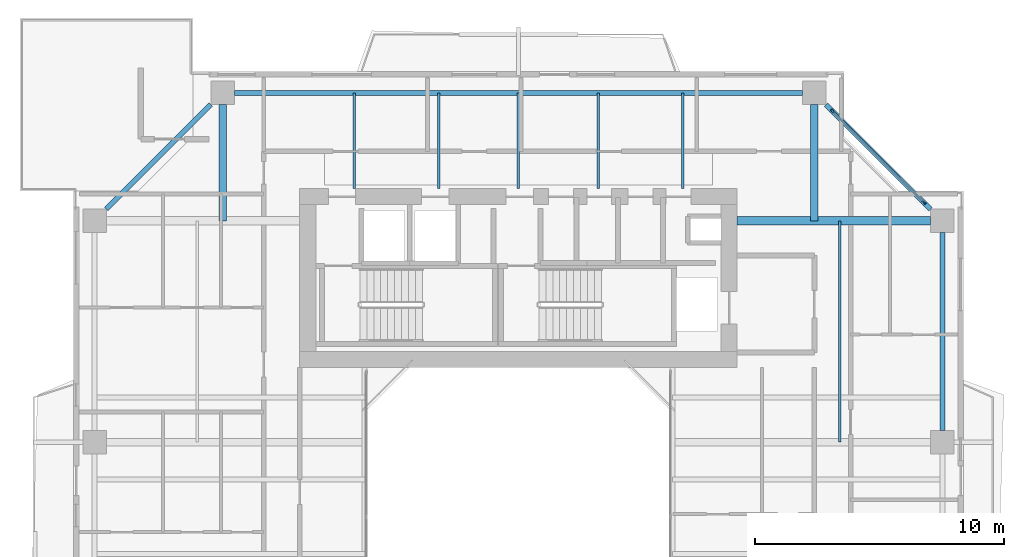
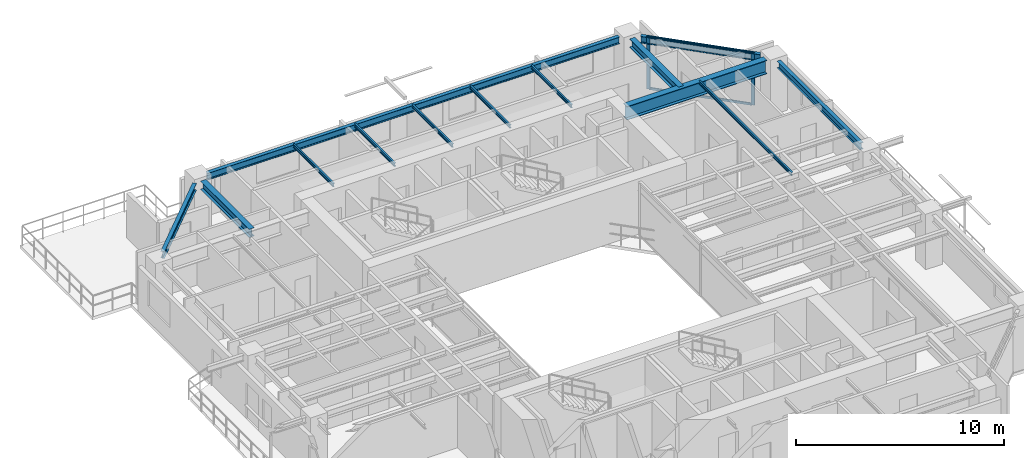
# One storey, part 8 of 17: 13 beams, 4 members, 1 element without a shape of its own.
"""IFC4 building model written with IfcOpenShell, lengths in metres."""

from ifc_helpers import new_model, si_unit, direction, frame, origin, origin_2d, place, context, subcontext, project, spatial, rectangle, i_section, extrude, source, transform, mapped, material, layer, layer_set, material_profile, profile_set, type_object, element, aggregate, save


model = new_model("IFC4")

# Units and contexts
model_context = context("Model", 3, precision=1e-05, world=origin(), true_north=direction((0.0, 1.0)))
body_context = subcontext(model_context, "Body", "Model", "MODEL_VIEW")
ifc_project = project(units=[si_unit("LENGTHUNIT", "METRE"), si_unit("AREAUNIT", "SQUARE_METRE"), si_unit("VOLUMEUNIT", "CUBIC_METRE"), si_unit("PLANEANGLEUNIT", "RADIAN"), si_unit("MASSUNIT", "GRAM", prefix="KILO"), si_unit("THERMODYNAMICTEMPERATUREUNIT", "KELVIN"), si_unit("POWERUNIT", "WATT")], contexts=[model_context])

# Site, building, storey
site_placement = place(None, origin())
site = spatial("IfcSite", under=ifc_project, at=site_placement, CompositionType="ELEMENT")
building_placement = place(site_placement, origin())
building = spatial("IfcBuilding", under=site, at=building_placement, Name="Qiaomeng Ring Towers", CompositionType="ELEMENT")
storey_placement = place(building_placement, frame((0.0, 0.0, 143.75)))
storey = spatial("IfcBuildingStorey", under=building, at=storey_placement, Name="L41", CompositionType="ELEMENT", Elevation=143.75)

# Beams
ifc_material_1 = material(Name="Steel Q355B", Category="steel")
ifc_material_profile_1 = material_profile(ifc_material_1, i_section(OverallWidth=0.10009765625, OverallDepth=0.199951171875, WebThickness=0.005615234375, FlangeThickness=0.008056640625, FilletRadius=0.010986328125, at=origin_2d()), Name="HN 200x100x5.5x8")
ifc_profile_set_1 = profile_set([ifc_material_profile_1], Name="Steel Q355B")
beam_type_1 = type_object("IfcBeamType", Name="STR-BM-HN200", PredefinedType="JOIST", material=ifc_profile_set_1)
shared_shape_1 = source(origin(), body_context, "Body", "SweptSolid", [
    extrude(i_section(OverallWidth=0.10009765625, OverallDepth=0.199951171875, WebThickness=0.005615234375, FlangeThickness=0.008056640625, FilletRadius=0.010986328125, at=origin_2d()), origin(), (0.0, 0.0, 1.0), 3.85009765625),
])
for number, where, z_axis, x_axis, name in (
    (1, (12.39990234375, 36.199951171875, 2.969970703125), (0.0, 1.0, 0.0), (-1.0, 0.0, 0.0), "L41 beam STR-JST-L41-T1N-1"),
    (2, (15.800048828125, 36.199951171875, 2.969970703125), (0.0, 1.0, 0.0), (-1.0, 0.0, 0.0), "L41 beam STR-JST-L41-T1N-2"),
    (3, (19.0, 36.199951171875, 2.969970703125), (0.0, 1.0, 0.0), (-1.0, 0.0, 0.0), "L41 beam STR-JST-L41-T1N-3"),
    (4, (22.199951171875, 36.199951171875, 2.969970703125), (0.0, 1.0, 0.0), (-1.0, 0.0, 0.0), "L41 beam STR-JST-L41-T1N-4"),
    (5, (25.60009765625, 36.199951171875, 2.969970703125), (0.0, 1.0, 0.0), (-1.0, 0.0, 0.0), "L41 beam STR-JST-L41-T1N-5"),
):
    element("IfcBeam", number, at=place(storey_placement, frame(where, z_axis=z_axis, x_axis=x_axis)), inside=storey, type_object=beam_type_1, Name=name, PredefinedType="JOIST", context=body_context, shape_type="MappedRepresentation", body=[
        mapped(shared_shape_1, transform((0.0, 0.0, 0.0), x_axis=(1.0, 0.0, 0.0), y_axis=(0.0, 1.0, 0.0), z_axis=(0.0, 0.0, 1.0), scale=1.0)),
    ])
shared_shape_2 = source(origin(), body_context, "Body", "SweptSolid", [
    extrude(i_section(OverallWidth=0.10009765625, OverallDepth=0.199951171875, WebThickness=0.005615234375, FlangeThickness=0.008056640625, FilletRadius=0.010986328125, at=origin_2d()), origin(), (0.0, 0.0, 1.0), 8.89990234375),
])
beam_1_placement = place(storey_placement, frame((31.925048828125, 26.0, 2.969970703125), z_axis=(0.0, 1.0, 0.0), x_axis=(-1.0, 0.0, 0.0)))
element("IfcBeam", 6, at=beam_1_placement, inside=storey, type_object=beam_type_1, Name="L41 beam STR-JST-L41-T1C-EN", PredefinedType="JOIST", context=body_context, shape_type="MappedRepresentation", body=[
    mapped(shared_shape_2, transform((0.0, 0.0, 0.0), x_axis=(1.0, 0.0, 0.0), y_axis=(0.0, 1.0, 0.0), z_axis=(0.0, 0.0, 1.0), scale=1.0)),
])
ifc_material_profile_2 = material_profile(ifc_material_1, i_section(OverallWidth=0.199951171875, OverallDepth=0.39990234375, WebThickness=0.008056640625, FlangeThickness=0.012939453125, FilletRadius=0.01611328125, at=origin_2d()), Name="HN 400x200x8x13")
ifc_profile_set_2 = profile_set([ifc_material_profile_2], Name="Steel Q355B")
beam_type_2 = type_object("IfcBeamType", Name="STR-BM-HN400", PredefinedType="SPANDREL", material=ifc_profile_set_2)
shared_shape_3 = source(origin(), body_context, "Body", "SweptSolid", [
    extrude(i_section(OverallWidth=0.199951171875, OverallDepth=0.39990234375, WebThickness=0.008056640625, FlangeThickness=0.012939453125, FilletRadius=0.01611328125, at=origin_2d()), origin(), (0.0, 0.0, 1.0), 22.85205078125),
])
beam_2_placement = place(storey_placement, frame((30.426025390625, 40.050048828125, 2.8701171875), z_axis=(-1.0, 0.0, 0.0), x_axis=(0.0, -1.0, 0.0)))
element("IfcBeam", 7, at=beam_2_placement, inside=storey, type_object=beam_type_2, Name="L41 beam STR-SP-L41-T1-N2-N1", PredefinedType="SPANDREL", context=body_context, shape_type="MappedRepresentation", body=[
    mapped(shared_shape_3, transform((0.0, 0.0, 0.0), x_axis=(1.0, 0.0, 0.0), y_axis=(0.0, 1.0, 0.0), z_axis=(0.0, 0.0, 1.0), scale=1.0)),
])
shared_shape_4 = source(origin(), body_context, "Body", "SweptSolid", [
    extrude(i_section(OverallWidth=0.199951171875, OverallDepth=0.39990234375, WebThickness=0.008056640625, FlangeThickness=0.012939453125, FilletRadius=0.01611328125, at=origin_2d()), origin(), (0.0, 0.0, 1.0), 5.941650390625),
])
for number, where, z_axis, x_axis, name in (
    (8, (35.57568359375, 35.374267578125, 2.8701171875), (-0.707106781187, 0.707106781187, 0.0), (-0.707106781187, -0.707106781187, 0.0), "L41 beam STR-SP-L41-T1-E4-N2"),
    (9, (6.625732421875, 39.57568359375, 2.8701171875), (-0.707106781187, -0.707106781187, 0.0), (0.707106781187, -0.707106781187, 0.0), "L41 beam STR-SP-L41-T1-N1-W4"),
):
    element("IfcBeam", number, at=place(storey_placement, frame(where, z_axis=z_axis, x_axis=x_axis)), inside=storey, type_object=beam_type_2, Name=name, PredefinedType="SPANDREL", context=body_context, shape_type="MappedRepresentation", body=[
        mapped(shared_shape_4, transform((0.0, 0.0, 0.0), x_axis=(1.0, 0.0, 0.0), y_axis=(0.0, 1.0, 0.0), z_axis=(0.0, 0.0, 1.0), scale=1.0)),
    ])
shared_shape_5 = source(origin(), body_context, "Body", "SweptSolid", [
    extrude(i_section(OverallWidth=0.199951171875, OverallDepth=0.39990234375, WebThickness=0.008056640625, FlangeThickness=0.012939453125, FilletRadius=0.01611328125, at=origin_2d()), origin(), (0.0, 0.0, 1.0), 7.951904296875),
])
beam_3_placement = place(storey_placement, frame((36.050048828125, 26.47412109375, 2.8701171875), z_axis=(0.0, 1.0, 0.0), x_axis=(-1.0, 0.0, 0.0)))
element("IfcBeam", 10, at=beam_3_placement, inside=storey, type_object=beam_type_2, Name="L41 beam STR-SP-L41-T1-E3-E4", PredefinedType="SPANDREL", context=body_context, shape_type="MappedRepresentation", body=[
    mapped(shared_shape_5, transform((0.0, 0.0, 0.0), x_axis=(1.0, 0.0, 0.0), y_axis=(0.0, 1.0, 0.0), z_axis=(0.0, 0.0, 1.0), scale=1.0)),
])
ifc_material_2 = material(Name="Steel Q390GJC", Category="steel")
ifc_material_profile_3 = material_profile(ifc_material_2, i_section(OverallWidth=0.35009765625, OverallDepth=0.800048828125, WebThickness=0.01611328125, FlangeThickness=0.028076171875, at=origin_2d()), Name="WH 800x350x16x28")
ifc_profile_set_3 = profile_set([ifc_material_profile_3], Name="Steel Q390GJC")
beam_type_3 = type_object("IfcBeamType", Name="STR-BM-WH800", PredefinedType="BEAM", material=ifc_profile_set_3)
shared_shape_6 = source(origin(), body_context, "Body", "SweptSolid", [
    extrude(i_section(OverallWidth=0.35009765625, OverallDepth=0.800048828125, WebThickness=0.01611328125, FlangeThickness=0.028076171875, at=origin_2d()), origin(), (0.0, 0.0, 1.0), 7.77587890625),
])
beam_4_placement = place(storey_placement, frame((27.800048828125, 34.89990234375, 2.669921875), z_axis=(1.0, 0.0, 0.0), x_axis=(0.0, 1.0, 0.0)))
element("IfcBeam", 11, at=beam_4_placement, inside=storey, type_object=beam_type_3, Name="L41 beam STR-BM-L41-T1-RAD-E4", PredefinedType="BEAM", context=body_context, shape_type="MappedRepresentation", body=[
    mapped(shared_shape_6, transform((0.0, 0.0, 0.0), x_axis=(1.0, 0.0, 0.0), y_axis=(0.0, 1.0, 0.0), z_axis=(0.0, 0.0, 1.0), scale=1.0)),
])
ifc_material_profile_4 = material_profile(ifc_material_1, i_section(OverallWidth=0.300048828125, OverallDepth=0.488037109375, WebThickness=0.010986328125, FlangeThickness=0.01806640625, FilletRadius=0.02587890625, at=origin_2d()), Name="HM 488x300x11x18")
ifc_profile_set_4 = profile_set([ifc_material_profile_4], Name="Steel Q355B")
beam_type_4 = type_object("IfcBeamType", Name="STR-BM-HM488", PredefinedType="BEAM", material=ifc_profile_set_4)
shared_shape_7 = source(origin(), body_context, "Body", "SweptSolid", [
    extrude(i_section(OverallWidth=0.300048828125, OverallDepth=0.488037109375, WebThickness=0.010986328125, FlangeThickness=0.01806640625, FilletRadius=0.02587890625, at=origin_2d()), origin(), (0.0, 0.0, 1.0), 4.676025390625),
])
for number, where, z_axis, x_axis, name in (
    (12, (7.10009765625, 39.575927734375, 2.825927734375), (0.0, -1.0, 0.0), (1.0, 0.0, 0.0), "L41 beam STR-BM-L41-T1-RAD-N1"),
    (13, (30.89990234375, 39.575927734375, 2.825927734375), (0.0, -1.0, 0.0), (1.0, 0.0, 0.0), "L41 beam STR-BM-L41-T1-RAD-N2"),
):
    element("IfcBeam", number, at=place(storey_placement, frame(where, z_axis=z_axis, x_axis=x_axis)), inside=storey, type_object=beam_type_4, Name=name, PredefinedType="BEAM", context=body_context, shape_type="MappedRepresentation", body=[
        mapped(shared_shape_7, transform((0.0, 0.0, 0.0), x_axis=(1.0, 0.0, 0.0), y_axis=(0.0, 1.0, 0.0), z_axis=(0.0, 0.0, 1.0), scale=1.0)),
    ])

# Curtain wall, members
ifc_material_3 = material(Name="Fluorocarbon dark-grey aluminium", Category="aluminium")
ifc_layer = layer(ifc_material_3, 0.14990234375, Name="Fluorocarbon dark-grey aluminium")
ifc_layer_set = layer_set([ifc_layer], Name="Fluorocarbon dark-grey aluminium")
curtain_wall_type = type_object("IfcCurtainWallType", Name="ARC-CW-3", PredefinedType="NOTDEFINED", material=ifc_layer_set)
curtain_wall_placement = place(storey_placement, origin())
curtain_wall = element("IfcCurtainWall", 14, at=curtain_wall_placement, inside=storey, type_object=curtain_wall_type, Name="L41 Curtain Wall CW3", PredefinedType="NOTDEFINED")
ifc_material_profile_5 = material_profile(ifc_material_3, rectangle(XDim=0.070068359375, YDim=0.179931640625, at=origin_2d()), Name="ALU MULL 70x180")
ifc_profile_set_5 = profile_set([ifc_material_profile_5], Name="Fluorocarbon dark-grey aluminium")
member_type_1 = type_object("IfcMemberType", Name="ARC-CWM-160", PredefinedType="MULLION", material=ifc_profile_set_5)
shared_shape_8 = source(origin(), body_context, "Body", "SweptSolid", [
    extrude(rectangle(XDim=0.070068359375, YDim=0.179931640625, at=origin_2d()), origin(), (0.0, 0.0, 1.0), 3.070068359375),
])
member_1_placement = place(storey_placement, frame((35.310302734375, 35.6396484375, 0.0), z_axis=(0.0, 0.0, 1.0), x_axis=(-0.707106781187, -0.707106781187, 0.0)))
member_1 = element("IfcMember", 15, at=member_1_placement, type_object=member_type_1, Name="CW3 mullion 1", PredefinedType="MULLION", context=body_context, shape_type="MappedRepresentation", body=[
    mapped(shared_shape_8, transform((0.0, 0.0, 0.0), x_axis=(1.0, 0.0, 0.0), y_axis=(0.0, 1.0, 0.0), z_axis=(0.0, 0.0, 1.0), scale=1.0)),
])
member_2_placement = place(storey_placement, frame((31.6396484375, 39.310302734375, 0.0), z_axis=(0.0, 0.0, 1.0), x_axis=(-0.707106781187, -0.707106781187, 0.0)))
member_2 = element("IfcMember", 16, at=member_2_placement, type_object=member_type_1, Name="CW3 mullion 2", PredefinedType="MULLION", context=body_context, shape_type="MappedRepresentation", body=[
    mapped(shared_shape_8, transform((0.0, 0.0, 0.0), x_axis=(1.0, 0.0, 0.0), y_axis=(0.0, 1.0, 0.0), z_axis=(0.0, 0.0, 1.0), scale=1.0)),
])
ifc_material_profile_6 = material_profile(ifc_material_3, rectangle(XDim=0.06494140625, YDim=0.1298828125, at=origin_2d()), Name="ALU TRAN 65x130")
ifc_profile_set_6 = profile_set([ifc_material_profile_6], Name="Fluorocarbon dark-grey aluminium")
member_type_2 = type_object("IfcMemberType", Name="ARC-CWT-120", PredefinedType="USERDEFINED", material=ifc_profile_set_6)
shared_shape_9 = source(origin(), body_context, "Body", "SweptSolid", [
    extrude(rectangle(XDim=0.06494140625, YDim=0.1298828125, at=origin_2d()), origin(), (0.0, 0.0, 1.0), 5.12060546875),
])
member_3_placement = place(storey_placement, frame((35.285400390625, 35.66455078125, 0.032470703125), z_axis=(-0.707106781187, 0.707106781187, 0.0), x_axis=(-0.707106781187, -0.707106781187, 0.0)))
member_3 = element("IfcMember", 17, at=member_3_placement, type_object=member_type_2, Name="CW3 transom 1.1", ObjectType="TRANSOM", PredefinedType="USERDEFINED", context=body_context, shape_type="MappedRepresentation", body=[
    mapped(shared_shape_9, transform((0.0, 0.0, 0.0), x_axis=(1.0, 0.0, 0.0), y_axis=(0.0, 1.0, 0.0), z_axis=(0.0, 0.0, 1.0), scale=1.0)),
])
member_4_placement = place(storey_placement, frame((35.285400390625, 35.66455078125, 3.03759765625), z_axis=(-0.707106781187, 0.707106781187, 0.0), x_axis=(-0.707106781187, -0.707106781187, 0.0)))
member_4 = element("IfcMember", 18, at=member_4_placement, type_object=member_type_2, Name="CW3 transom 1.2", ObjectType="TRANSOM", PredefinedType="USERDEFINED", context=body_context, shape_type="MappedRepresentation", body=[
    mapped(shared_shape_9, transform((0.0, 0.0, 0.0), x_axis=(1.0, 0.0, 0.0), y_axis=(0.0, 1.0, 0.0), z_axis=(0.0, 0.0, 1.0), scale=1.0)),
])
aggregate(curtain_wall, [member_1, member_2, member_3, member_4])

save(model, "model.ifc")
